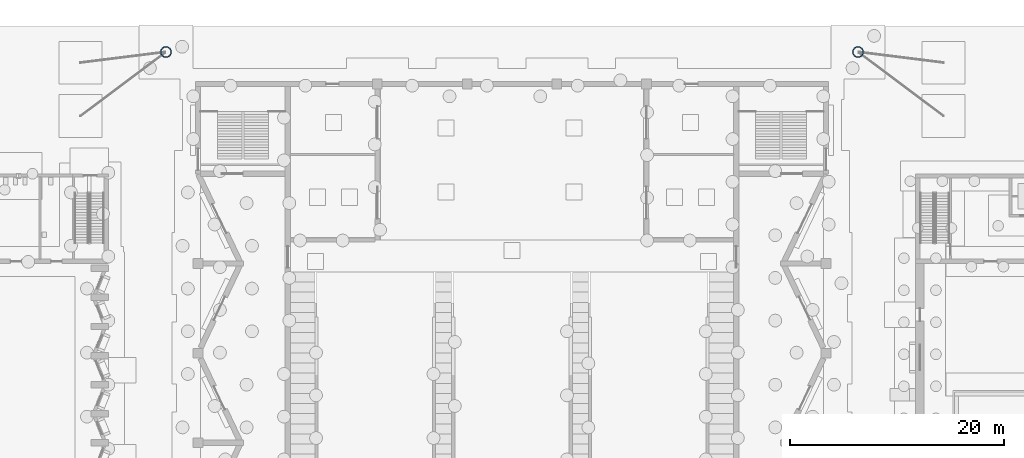
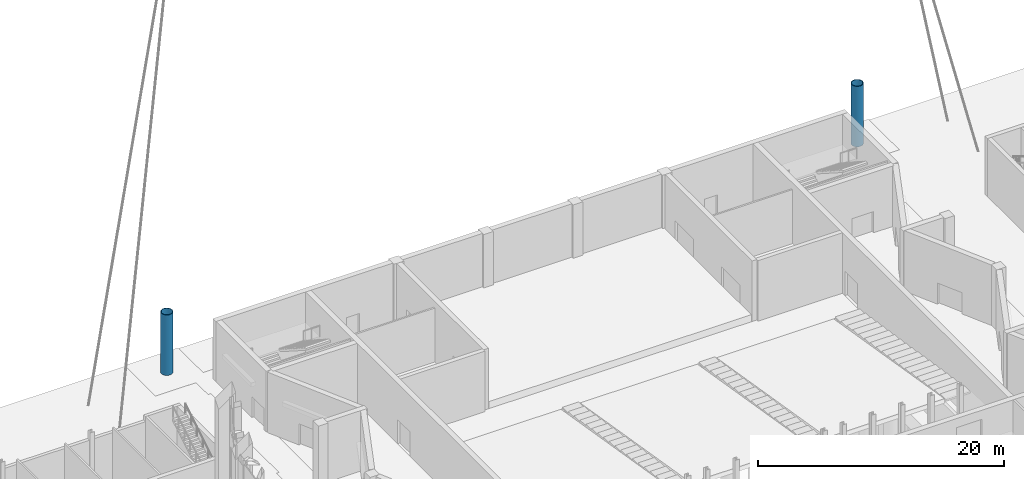
# One storey, part 34 of 108: 2 columns.
"""IFC4 building model written with IfcOpenShell, lengths in metres."""

from ifc_helpers import new_model, si_unit, direction, frame, origin, origin_2d, place, context, subcontext, project, spatial, hollow_circle, extrude, material, material_profile, profile_set, type_object, element, save


model = new_model("IFC4")

# Units and contexts
model_context = context("Model", 3, precision=1e-05, world=origin(), true_north=direction((0.0, 1.0)))
body_context = subcontext(model_context, "Body", "Model", "MODEL_VIEW")
ifc_project = project(units=[si_unit("LENGTHUNIT", "METRE"), si_unit("AREAUNIT", "SQUARE_METRE"), si_unit("VOLUMEUNIT", "CUBIC_METRE"), si_unit("PLANEANGLEUNIT", "RADIAN"), si_unit("MASSUNIT", "GRAM", prefix="KILO")], contexts=[model_context])

# Site, building, storey
site_placement = place(None, origin())
site = spatial("IfcSite", under=ifc_project, at=site_placement, CompositionType="ELEMENT")
building_placement = place(site_placement, origin())
building = spatial("IfcBuilding", under=site, at=building_placement, Name="Cresset Court Congress Hotel", CompositionType="ELEMENT")
storey_placement = place(building_placement, origin())
storey = spatial("IfcBuildingStorey", under=building, at=storey_placement, Name="L00", CompositionType="ELEMENT", Elevation=0.0)

# Columns
ifc_material = material(Name="Structural steel Q355B", Category="steel")
ifc_material_profile = material_profile(ifc_material, hollow_circle(Radius=0.508056640625, WallThickness=0.050048828125, at=origin_2d()), Name="CHS1016x50")
ifc_profile_set = profile_set([ifc_material_profile], Name="Structural steel Q355B")
column_type = type_object("IfcColumnType", Name="Mast tube 1016x50", PredefinedType="COLUMN", material=ifc_profile_set)
for number, where, z_axis, x_axis, name in (
    (1, (120.60009765625, 120.60009765625, 0.0), (0.0, 0.0, 1.0), (1.0, 0.0, 0.0), "Mast M3"),
    (2, (55.800048828125, 120.60009765625, 0.0), (0.0, 0.0, 1.0), (1.0, 0.0, 0.0), "Mast M4"),
):
    element("IfcColumn", number, at=place(storey_placement, frame(where, z_axis=z_axis, x_axis=x_axis)), inside=storey, type_object=column_type, Name=name, PredefinedType="COLUMN", context=body_context, shape_type="SweptSolid", body=[
        extrude(hollow_circle(Radius=0.508056640625, WallThickness=0.050048828125, at=origin_2d()), origin(), (0.0, 0.0, 1.0), 6.0),
    ])

save(model, "model.ifc")
